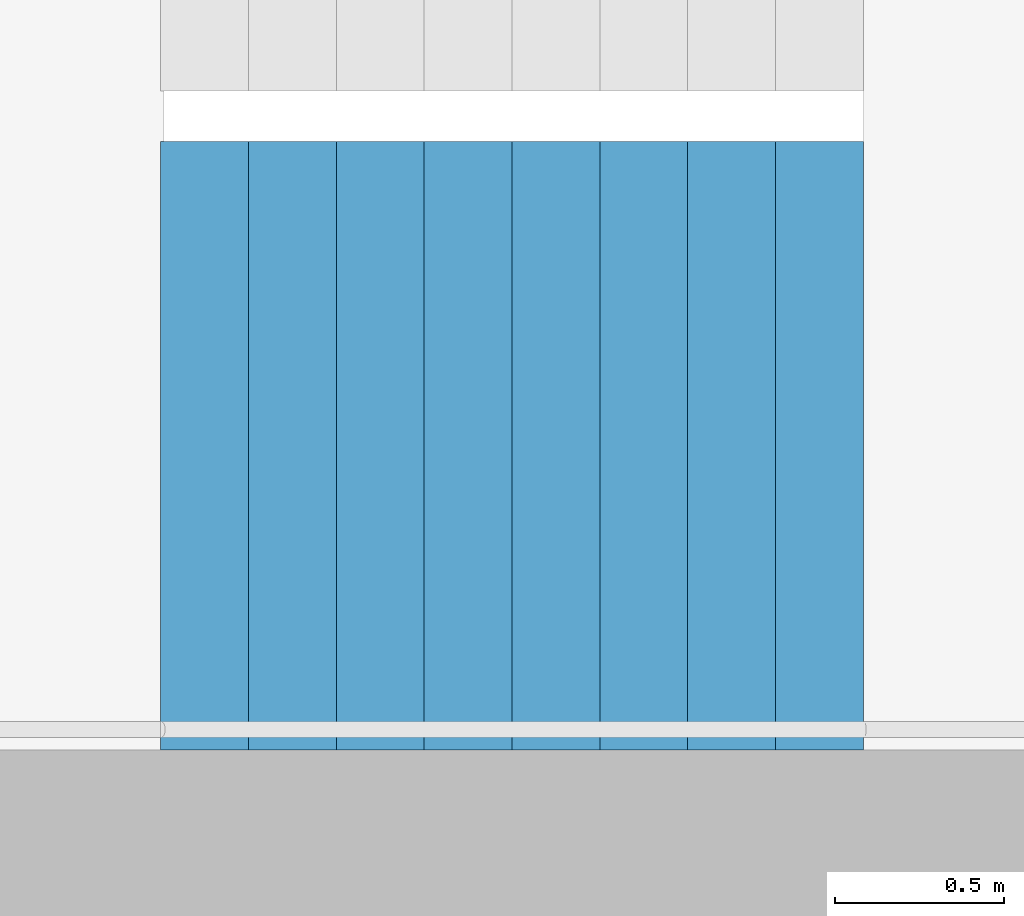
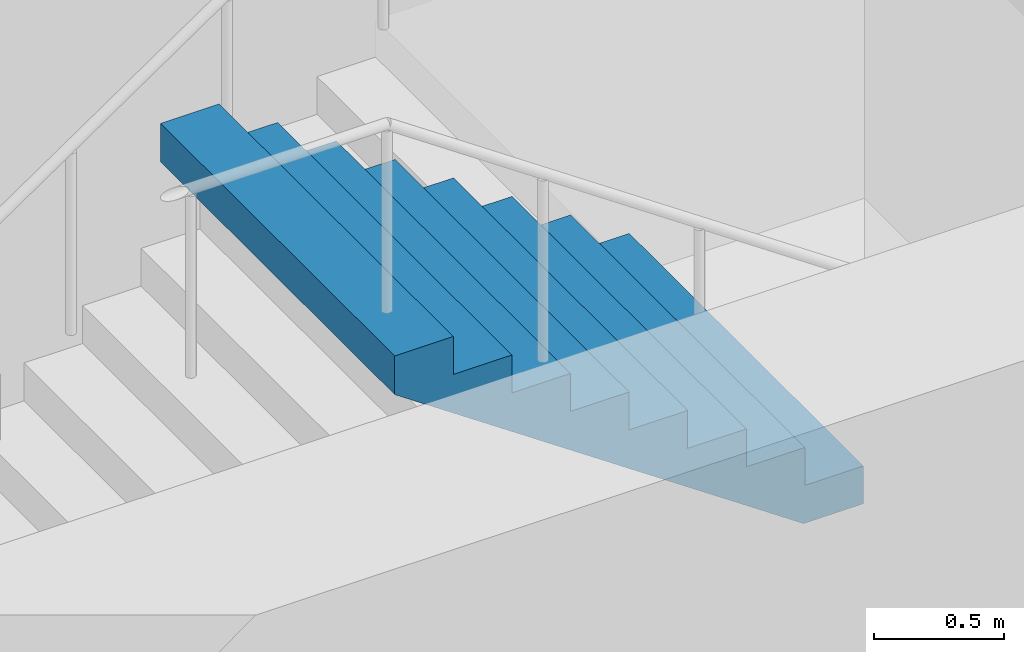
# One storey, part 22 of 26: 1 stair flight, 1 element without a shape of its own.
"""IFC4 building model written with IfcOpenShell, lengths in metres."""

from ifc_helpers import new_model, si_unit, direction, frame, origin, place, context, subcontext, project, spatial, triangles, material, type_object, element, aggregate, save


model = new_model("IFC4")

# Units and contexts
model_context = context("Model", 3, precision=1e-05, world=origin(), true_north=direction((0.0, 1.0)))
body_context = subcontext(model_context, "Body", "Model", "MODEL_VIEW")
ifc_project = project(units=[si_unit("LENGTHUNIT", "METRE"), si_unit("AREAUNIT", "SQUARE_METRE"), si_unit("VOLUMEUNIT", "CUBIC_METRE"), si_unit("PLANEANGLEUNIT", "RADIAN"), si_unit("MASSUNIT", "GRAM", prefix="KILO")], contexts=[model_context])

# Site, building, storey
site_placement = place(None, origin())
site = spatial("IfcSite", under=ifc_project, at=site_placement, CompositionType="ELEMENT")
building_placement = place(site_placement, origin())
building = spatial("IfcBuilding", under=site, at=building_placement, Name="Hakoniwa Tower and Hamabe Station Hall", CompositionType="ELEMENT")
storey_placement = place(building_placement, frame((0.0, 0.0, 153.39990234375)))
storey = spatial("IfcBuildingStorey", under=building, at=storey_placement, Name="L43", CompositionType="ELEMENT", Elevation=153.39990234375)

# Stair, stair flight
ifc_material_1 = material(Name="Concrete C40", Category="concrete")
stair_type = type_object("IfcStairType", Name="ESCAPE STAIR 1800", PredefinedType="HALF_TURN_STAIR", material=ifc_material_1)
stair_placement = place(storey_placement, origin())
stair = element("IfcStair", 1, at=stair_placement, inside=storey, type_object=stair_type, Name="Escape stair ST-4 L43", PredefinedType="HALF_TURN_STAIR")
ifc_material_2 = material(Name="Concrete C40", Category="concrete")
stair_flight_type = type_object("IfcStairFlightType", Name="STAIR FLIGHT 1800", PredefinedType="STRAIGHT", material=ifc_material_2)
stair_flight_placement = place(storey_placement, frame((25.47998046875, -6.60009765625, 1.60009765625), z_axis=(0.0, 0.0, 1.0), x_axis=(-1.0, 0.0, 0.0)))
stair_flight = element("IfcStairFlight", 2, at=stair_flight_placement, type_object=stair_flight_type, Name="ST-4 flight 2", NumberOfRisers=9, NumberOfTreads=8, PredefinedType="STRAIGHT", RiserHeight=0.177777778, TreadLength=0.26, context=body_context, shape_type="Tessellation", body=[
    triangles([(0.0, 0.89990234375, 0.0), (0.260009765625, 0.89990234375, 0.0), (0.265625, 0.89990234375, 0.0), (0.52001953125, 0.89990234375, 0.174072265625), (0.780029296875, 0.89990234375, 0.351806640625), (1.0400390625, 0.89990234375, 0.529541015625), (1.300048828125, 0.89990234375, 0.707275390625), (1.56005859375, 0.89990234375, 0.885009765625), (1.820068359375, 0.89990234375, 1.062744140625), (2.080078125, 0.89990234375, 1.24072265625), (2.080078125, 0.89990234375, 1.422119140625), (1.820068359375, 0.89990234375, 1.422119140625), (1.820068359375, 0.89990234375, 1.244384765625), (1.56005859375, 0.89990234375, 1.244384765625), (1.56005859375, 0.89990234375, 1.066650390625), (1.300048828125, 0.89990234375, 1.066650390625), (1.300048828125, 0.89990234375, 0.888916015625), (1.0400390625, 0.89990234375, 0.888916015625), (1.0400390625, 0.89990234375, 0.711181640625), (0.780029296875, 0.89990234375, 0.711181640625), (0.780029296875, 0.89990234375, 0.533447265625), (0.52001953125, 0.89990234375, 0.533447265625), (0.52001953125, 0.89990234375, 0.35546875), (0.265625, 0.89990234375, 0.35546875), (0.260009765625, 0.89990234375, 0.35546875), (0.260009765625, 0.89990234375, 0.177734375), (0.0, 0.89990234375, 0.177734375), (0.0, 0.06005859375, 0.0), (0.260009765625, 0.06005859375, 0.0), (0.265625, 0.06005859375, 0.0), (0.52001953125, 0.06005859375, 0.174072265625), (0.780029296875, 0.06005859375, 0.351806640625), (1.0400390625, 0.06005859375, 0.529541015625), (1.300048828125, 0.06005859375, 0.707275390625), (1.56005859375, 0.06005859375, 0.885009765625), (1.820068359375, 0.06005859375, 1.062744140625), (2.080078125, 0.06005859375, 1.24072265625), (2.080078125, 0.06005859375, 1.422119140625), (1.820068359375, 0.06005859375, 1.422119140625), (1.820068359375, 0.06005859375, 1.244384765625), (1.56005859375, 0.06005859375, 1.244384765625), (1.56005859375, 0.06005859375, 1.066650390625), (1.300048828125, 0.06005859375, 1.066650390625), (1.300048828125, 0.06005859375, 0.888916015625), (1.0400390625, 0.06005859375, 0.888916015625), (1.0400390625, 0.06005859375, 0.711181640625), (0.780029296875, 0.06005859375, 0.711181640625), (0.780029296875, 0.06005859375, 0.533447265625), (0.52001953125, 0.06005859375, 0.533447265625), (0.52001953125, 0.06005859375, 0.35546875), (0.265625, 0.06005859375, 0.35546875), (0.260009765625, 0.06005859375, 0.35546875), (0.260009765625, 0.06005859375, 0.177734375), (0.0, 0.06005859375, 0.177734375), (0.0, 0.04296875, 0.0), (0.260009765625, 0.04296875, 0.0), (0.265625, 0.04296875, 0.0), (0.52001953125, 0.04296875, 0.174072265625), (0.780029296875, 0.04296875, 0.351806640625), (1.0400390625, 0.04296875, 0.529541015625), (1.300048828125, 0.04296875, 0.707275390625), (1.56005859375, 0.04296875, 0.885009765625), (1.820068359375, 0.04296875, 1.062744140625), (2.080078125, 0.04296875, 1.24072265625), (2.080078125, 0.04296875, 1.422119140625), (1.820068359375, 0.04296875, 1.422119140625), (1.820068359375, 0.04296875, 1.244384765625), (1.56005859375, 0.04296875, 1.244384765625), (1.56005859375, 0.04296875, 1.066650390625), (1.300048828125, 0.04296875, 1.066650390625), (1.300048828125, 0.04296875, 0.888916015625), (1.0400390625, 0.04296875, 0.888916015625), (1.0400390625, 0.04296875, 0.711181640625), (0.780029296875, 0.04296875, 0.711181640625), (0.780029296875, 0.04296875, 0.533447265625), (0.52001953125, 0.04296875, 0.533447265625), (0.52001953125, 0.04296875, 0.35546875), (0.265625, 0.04296875, 0.35546875), (0.260009765625, 0.04296875, 0.35546875), (0.260009765625, 0.04296875, 0.177734375), (0.0, 0.04296875, 0.177734375), (0.0, 0.025634765625, 0.0), (0.260009765625, 0.025634765625, 0.0), (0.265625, 0.025634765625, 0.0), (0.52001953125, 0.025634765625, 0.174072265625), (0.780029296875, 0.025634765625, 0.351806640625), (1.0400390625, 0.025634765625, 0.529541015625), (1.300048828125, 0.025634765625, 0.707275390625), (1.56005859375, 0.025634765625, 0.885009765625), (1.820068359375, 0.025634765625, 1.062744140625), (2.080078125, 0.025634765625, 1.24072265625), (2.080078125, 0.025634765625, 1.422119140625), (1.820068359375, 0.025634765625, 1.422119140625), (1.820068359375, 0.025634765625, 1.244384765625), (1.56005859375, 0.025634765625, 1.244384765625), (1.56005859375, 0.025634765625, 1.066650390625), (1.300048828125, 0.025634765625, 1.066650390625), (1.300048828125, 0.025634765625, 0.888916015625), (1.0400390625, 0.025634765625, 0.888916015625), (1.0400390625, 0.025634765625, 0.711181640625), (0.780029296875, 0.025634765625, 0.711181640625), (0.780029296875, 0.025634765625, 0.533447265625), (0.52001953125, 0.025634765625, 0.533447265625), (0.52001953125, 0.025634765625, 0.35546875), (0.265625, 0.025634765625, 0.35546875), (0.260009765625, 0.025634765625, 0.35546875), (0.260009765625, 0.025634765625, 0.177734375), (0.0, 0.025634765625, 0.177734375), (0.0, 0.008544921875, 0.0), (0.260009765625, 0.008544921875, 0.0), (0.265625, 0.008544921875, 0.0), (0.52001953125, 0.008544921875, 0.174072265625), (0.780029296875, 0.008544921875, 0.351806640625), (1.0400390625, 0.008544921875, 0.529541015625), (1.300048828125, 0.008544921875, 0.707275390625), (1.56005859375, 0.008544921875, 0.885009765625), (1.820068359375, 0.008544921875, 1.062744140625), (2.080078125, 0.008544921875, 1.24072265625), (2.080078125, 0.008544921875, 1.422119140625), (1.820068359375, 0.008544921875, 1.422119140625), (1.820068359375, 0.008544921875, 1.244384765625), (1.56005859375, 0.008544921875, 1.244384765625), (1.56005859375, 0.008544921875, 1.066650390625), (1.300048828125, 0.008544921875, 1.066650390625), (1.300048828125, 0.008544921875, 0.888916015625), (1.0400390625, 0.008544921875, 0.888916015625), (1.0400390625, 0.008544921875, 0.711181640625), (0.780029296875, 0.008544921875, 0.711181640625), (0.780029296875, 0.008544921875, 0.533447265625), (0.52001953125, 0.008544921875, 0.533447265625), (0.52001953125, 0.008544921875, 0.35546875), (0.265625, 0.008544921875, 0.35546875), (0.260009765625, 0.008544921875, 0.35546875), (0.260009765625, 0.008544921875, 0.177734375), (0.0, 0.008544921875, 0.177734375), (0.0, -0.008544921875, 0.0), (0.260009765625, -0.008544921875, 0.0), (0.265625, -0.008544921875, 0.0), (0.52001953125, -0.008544921875, 0.174072265625), (0.780029296875, -0.008544921875, 0.351806640625), (1.0400390625, -0.008544921875, 0.529541015625), (1.300048828125, -0.008544921875, 0.707275390625), (1.56005859375, -0.008544921875, 0.885009765625), (1.820068359375, -0.008544921875, 1.062744140625), (2.080078125, -0.008544921875, 1.24072265625), (2.080078125, -0.008544921875, 1.422119140625), (1.820068359375, -0.008544921875, 1.422119140625), (1.820068359375, -0.008544921875, 1.244384765625), (1.56005859375, -0.008544921875, 1.244384765625), (1.56005859375, -0.008544921875, 1.066650390625), (1.300048828125, -0.008544921875, 1.066650390625), (1.300048828125, -0.008544921875, 0.888916015625), (1.0400390625, -0.008544921875, 0.888916015625), (1.0400390625, -0.008544921875, 0.711181640625), (0.780029296875, -0.008544921875, 0.711181640625), (0.780029296875, -0.008544921875, 0.533447265625), (0.52001953125, -0.008544921875, 0.533447265625), (0.52001953125, -0.008544921875, 0.35546875), (0.265625, -0.008544921875, 0.35546875), (0.260009765625, -0.008544921875, 0.35546875), (0.260009765625, -0.008544921875, 0.177734375), (0.0, -0.008544921875, 0.177734375), (0.0, -0.025634765625, 0.0), (0.260009765625, -0.025634765625, 0.0), (0.265625, -0.025634765625, 0.0), (0.52001953125, -0.025634765625, 0.174072265625), (0.780029296875, -0.025634765625, 0.351806640625), (1.0400390625, -0.025634765625, 0.529541015625), (1.300048828125, -0.025634765625, 0.707275390625), (1.56005859375, -0.025634765625, 0.885009765625), (1.820068359375, -0.025634765625, 1.062744140625), (2.080078125, -0.025634765625, 1.24072265625), (2.080078125, -0.025634765625, 1.422119140625), (1.820068359375, -0.025634765625, 1.422119140625), (1.820068359375, -0.025634765625, 1.244384765625), (1.56005859375, -0.025634765625, 1.244384765625), (1.56005859375, -0.025634765625, 1.066650390625), (1.300048828125, -0.025634765625, 1.066650390625), (1.300048828125, -0.025634765625, 0.888916015625), (1.0400390625, -0.025634765625, 0.888916015625), (1.0400390625, -0.025634765625, 0.711181640625), (0.780029296875, -0.025634765625, 0.711181640625), (0.780029296875, -0.025634765625, 0.533447265625), (0.52001953125, -0.025634765625, 0.533447265625), (0.52001953125, -0.025634765625, 0.35546875), (0.265625, -0.025634765625, 0.35546875), (0.260009765625, -0.025634765625, 0.35546875), (0.260009765625, -0.025634765625, 0.177734375), (0.0, -0.025634765625, 0.177734375), (0.0, -0.04296875, 0.0), (0.260009765625, -0.04296875, 0.0), (0.265625, -0.04296875, 0.0), (0.52001953125, -0.04296875, 0.174072265625), (0.780029296875, -0.04296875, 0.351806640625), (1.0400390625, -0.04296875, 0.529541015625), (1.300048828125, -0.04296875, 0.707275390625), (1.56005859375, -0.04296875, 0.885009765625), (1.820068359375, -0.04296875, 1.062744140625), (2.080078125, -0.04296875, 1.24072265625), (2.080078125, -0.04296875, 1.422119140625), (1.820068359375, -0.04296875, 1.422119140625), (1.820068359375, -0.04296875, 1.244384765625), (1.56005859375, -0.04296875, 1.244384765625), (1.56005859375, -0.04296875, 1.066650390625), (1.300048828125, -0.04296875, 1.066650390625), (1.300048828125, -0.04296875, 0.888916015625), (1.0400390625, -0.04296875, 0.888916015625), (1.0400390625, -0.04296875, 0.711181640625), (0.780029296875, -0.04296875, 0.711181640625), (0.780029296875, -0.04296875, 0.533447265625), (0.52001953125, -0.04296875, 0.533447265625), (0.52001953125, -0.04296875, 0.35546875), (0.265625, -0.04296875, 0.35546875), (0.260009765625, -0.04296875, 0.35546875), (0.260009765625, -0.04296875, 0.177734375), (0.0, -0.04296875, 0.177734375), (0.0, -0.06005859375, 0.0), (0.260009765625, -0.06005859375, 0.0), (0.265625, -0.06005859375, 0.0), (0.52001953125, -0.06005859375, 0.174072265625), (0.780029296875, -0.06005859375, 0.351806640625), (1.0400390625, -0.06005859375, 0.529541015625), (1.300048828125, -0.06005859375, 0.707275390625), (1.56005859375, -0.06005859375, 0.885009765625), (1.820068359375, -0.06005859375, 1.062744140625), (2.080078125, -0.06005859375, 1.24072265625), (2.080078125, -0.06005859375, 1.422119140625), (1.820068359375, -0.06005859375, 1.422119140625), (1.820068359375, -0.06005859375, 1.244384765625), (1.56005859375, -0.06005859375, 1.244384765625), (1.56005859375, -0.06005859375, 1.066650390625), (1.300048828125, -0.06005859375, 1.066650390625), (1.300048828125, -0.06005859375, 0.888916015625), (1.0400390625, -0.06005859375, 0.888916015625), (1.0400390625, -0.06005859375, 0.711181640625), (0.780029296875, -0.06005859375, 0.711181640625), (0.780029296875, -0.06005859375, 0.533447265625), (0.52001953125, -0.06005859375, 0.533447265625), (0.52001953125, -0.06005859375, 0.35546875), (0.265625, -0.06005859375, 0.35546875), (0.260009765625, -0.06005859375, 0.35546875), (0.260009765625, -0.06005859375, 0.177734375), (0.0, -0.06005859375, 0.177734375), (0.0, -0.89990234375, 0.0), (0.260009765625, -0.89990234375, 0.0), (0.265625, -0.89990234375, 0.0), (0.52001953125, -0.89990234375, 0.174072265625), (0.780029296875, -0.89990234375, 0.351806640625), (1.0400390625, -0.89990234375, 0.529541015625), (1.300048828125, -0.89990234375, 0.707275390625), (1.56005859375, -0.89990234375, 0.885009765625), (1.820068359375, -0.89990234375, 1.062744140625), (2.080078125, -0.89990234375, 1.24072265625), (2.080078125, -0.89990234375, 1.422119140625), (1.820068359375, -0.89990234375, 1.422119140625), (1.820068359375, -0.89990234375, 1.244384765625), (1.56005859375, -0.89990234375, 1.244384765625), (1.56005859375, -0.89990234375, 1.066650390625), (1.300048828125, -0.89990234375, 1.066650390625), (1.300048828125, -0.89990234375, 0.888916015625), (1.0400390625, -0.89990234375, 0.888916015625), (1.0400390625, -0.89990234375, 0.711181640625), (0.780029296875, -0.89990234375, 0.711181640625), (0.780029296875, -0.89990234375, 0.533447265625), (0.52001953125, -0.89990234375, 0.533447265625), (0.52001953125, -0.89990234375, 0.35546875), (0.265625, -0.89990234375, 0.35546875), (0.260009765625, -0.89990234375, 0.35546875), (0.260009765625, -0.89990234375, 0.177734375), (0.0, -0.89990234375, 0.177734375)], [[2, 27, 26], [245, 269, 270], [2, 1, 27], [245, 270, 244], [3, 25, 24], [246, 267, 268], [3, 26, 25], [246, 268, 269], [3, 2, 26], [246, 269, 245], [4, 24, 23], [247, 266, 267], [4, 3, 24], [247, 267, 246], [5, 22, 21], [248, 264, 265], [5, 23, 22], [248, 265, 266], [5, 4, 23], [248, 266, 247], [6, 20, 19], [249, 262, 263], [6, 21, 20], [249, 263, 264], [6, 5, 21], [249, 264, 248], [7, 18, 17], [250, 260, 261], [7, 19, 18], [250, 261, 262], [7, 6, 19], [250, 262, 249], [8, 16, 15], [251, 258, 259], [8, 17, 16], [251, 259, 260], [8, 7, 17], [251, 260, 250], [9, 14, 13], [252, 256, 257], [9, 15, 14], [252, 257, 258], [9, 8, 15], [252, 258, 251], [10, 12, 11], [253, 254, 255], [10, 13, 12], [253, 255, 256], [10, 9, 13], [253, 256, 252], [1, 2, 29], [1, 29, 28], [28, 29, 56], [28, 56, 55], [55, 56, 83], [55, 83, 82], [82, 83, 110], [82, 110, 109], [109, 110, 137], [109, 137, 136], [136, 137, 164], [136, 164, 163], [163, 164, 191], [163, 191, 190], [190, 191, 218], [190, 218, 217], [217, 218, 245], [217, 245, 244], [2, 3, 30], [2, 30, 29], [29, 30, 57], [29, 57, 56], [56, 57, 84], [56, 84, 83], [83, 84, 111], [83, 111, 110], [110, 111, 138], [110, 138, 137], [137, 138, 165], [137, 165, 164], [164, 165, 192], [164, 192, 191], [191, 192, 219], [191, 219, 218], [218, 219, 246], [218, 246, 245], [3, 4, 31], [3, 31, 30], [30, 31, 58], [30, 58, 57], [57, 58, 85], [57, 85, 84], [84, 85, 112], [84, 112, 111], [111, 112, 139], [111, 139, 138], [138, 139, 166], [138, 166, 165], [165, 166, 193], [165, 193, 192], [192, 193, 220], [192, 220, 219], [219, 220, 247], [219, 247, 246], [4, 5, 32], [4, 32, 31], [31, 32, 59], [31, 59, 58], [58, 59, 86], [58, 86, 85], [85, 86, 113], [85, 113, 112], [112, 113, 140], [112, 140, 139], [139, 140, 167], [139, 167, 166], [166, 167, 194], [166, 194, 193], [193, 194, 221], [193, 221, 220], [220, 221, 248], [220, 248, 247], [5, 6, 33], [5, 33, 32], [32, 33, 60], [32, 60, 59], [59, 60, 87], [59, 87, 86], [86, 87, 114], [86, 114, 113], [113, 114, 141], [113, 141, 140], [140, 141, 168], [140, 168, 167], [167, 168, 195], [167, 195, 194], [194, 195, 222], [194, 222, 221], [221, 222, 249], [221, 249, 248], [6, 7, 34], [6, 34, 33], [33, 34, 61], [33, 61, 60], [60, 61, 88], [60, 88, 87], [87, 88, 115], [87, 115, 114], [114, 115, 142], [114, 142, 141], [141, 142, 169], [141, 169, 168], [168, 169, 196], [168, 196, 195], [195, 196, 223], [195, 223, 222], [222, 223, 250], [222, 250, 249], [7, 8, 35], [7, 35, 34], [34, 35, 62], [34, 62, 61], [61, 62, 89], [61, 89, 88], [88, 89, 116], [88, 116, 115], [115, 116, 143], [115, 143, 142], [142, 143, 170], [142, 170, 169], [169, 170, 197], [169, 197, 196], [196, 197, 224], [196, 224, 223], [223, 224, 251], [223, 251, 250], [8, 9, 36], [8, 36, 35], [35, 36, 63], [35, 63, 62], [62, 63, 90], [62, 90, 89], [89, 90, 117], [89, 117, 116], [116, 117, 144], [116, 144, 143], [143, 144, 171], [143, 171, 170], [170, 171, 198], [170, 198, 197], [197, 198, 225], [197, 225, 224], [224, 225, 252], [224, 252, 251], [9, 10, 37], [9, 37, 36], [36, 37, 64], [36, 64, 63], [63, 64, 91], [63, 91, 90], [90, 91, 118], [90, 118, 117], [117, 118, 145], [117, 145, 144], [144, 145, 172], [144, 172, 171], [171, 172, 199], [171, 199, 198], [198, 199, 226], [198, 226, 225], [225, 226, 253], [225, 253, 252], [10, 11, 38], [10, 38, 37], [37, 38, 65], [37, 65, 64], [64, 65, 92], [64, 92, 91], [91, 92, 119], [91, 119, 118], [118, 119, 146], [118, 146, 145], [145, 146, 173], [145, 173, 172], [172, 173, 200], [172, 200, 199], [199, 200, 227], [199, 227, 226], [226, 227, 254], [226, 254, 253], [11, 12, 39], [11, 39, 38], [38, 39, 66], [38, 66, 65], [65, 66, 93], [65, 93, 92], [92, 93, 120], [92, 120, 119], [119, 120, 147], [119, 147, 146], [146, 147, 174], [146, 174, 173], [173, 174, 201], [173, 201, 200], [200, 201, 228], [200, 228, 227], [227, 228, 255], [227, 255, 254], [12, 13, 40], [12, 40, 39], [39, 40, 67], [39, 67, 66], [66, 67, 94], [66, 94, 93], [93, 94, 121], [93, 121, 120], [120, 121, 148], [120, 148, 147], [147, 148, 175], [147, 175, 174], [174, 175, 202], [174, 202, 201], [201, 202, 229], [201, 229, 228], [228, 229, 256], [228, 256, 255], [13, 14, 41], [13, 41, 40], [40, 41, 68], [40, 68, 67], [67, 68, 95], [67, 95, 94], [94, 95, 122], [94, 122, 121], [121, 122, 149], [121, 149, 148], [148, 149, 176], [148, 176, 175], [175, 176, 203], [175, 203, 202], [202, 203, 230], [202, 230, 229], [229, 230, 257], [229, 257, 256], [14, 15, 42], [14, 42, 41], [41, 42, 69], [41, 69, 68], [68, 69, 96], [68, 96, 95], [95, 96, 123], [95, 123, 122], [122, 123, 150], [122, 150, 149], [149, 150, 177], [149, 177, 176], [176, 177, 204], [176, 204, 203], [203, 204, 231], [203, 231, 230], [230, 231, 258], [230, 258, 257], [15, 16, 43], [15, 43, 42], [42, 43, 70], [42, 70, 69], [69, 70, 97], [69, 97, 96], [96, 97, 124], [96, 124, 123], [123, 124, 151], [123, 151, 150], [150, 151, 178], [150, 178, 177], [177, 178, 205], [177, 205, 204], [204, 205, 232], [204, 232, 231], [231, 232, 259], [231, 259, 258], [16, 17, 44], [16, 44, 43], [43, 44, 71], [43, 71, 70], [70, 71, 98], [70, 98, 97], [97, 98, 125], [97, 125, 124], [124, 125, 152], [124, 152, 151], [151, 152, 179], [151, 179, 178], [178, 179, 206], [178, 206, 205], [205, 206, 233], [205, 233, 232], [232, 233, 260], [232, 260, 259], [17, 18, 45], [17, 45, 44], [44, 45, 72], [44, 72, 71], [71, 72, 99], [71, 99, 98], [98, 99, 126], [98, 126, 125], [125, 126, 153], [125, 153, 152], [152, 153, 180], [152, 180, 179], [179, 180, 207], [179, 207, 206], [206, 207, 234], [206, 234, 233], [233, 234, 261], [233, 261, 260], [18, 19, 46], [18, 46, 45], [45, 46, 73], [45, 73, 72], [72, 73, 100], [72, 100, 99], [99, 100, 127], [99, 127, 126], [126, 127, 154], [126, 154, 153], [153, 154, 181], [153, 181, 180], [180, 181, 208], [180, 208, 207], [207, 208, 235], [207, 235, 234], [234, 235, 262], [234, 262, 261], [19, 20, 47], [19, 47, 46], [46, 47, 74], [46, 74, 73], [73, 74, 101], [73, 101, 100], [100, 101, 128], [100, 128, 127], [127, 128, 155], [127, 155, 154], [154, 155, 182], [154, 182, 181], [181, 182, 209], [181, 209, 208], [208, 209, 236], [208, 236, 235], [235, 236, 263], [235, 263, 262], [20, 21, 48], [20, 48, 47], [47, 48, 75], [47, 75, 74], [74, 75, 102], [74, 102, 101], [101, 102, 129], [101, 129, 128], [128, 129, 156], [128, 156, 155], [155, 156, 183], [155, 183, 182], [182, 183, 210], [182, 210, 209], [209, 210, 237], [209, 237, 236], [236, 237, 264], [236, 264, 263], [21, 22, 49], [21, 49, 48], [48, 49, 76], [48, 76, 75], [75, 76, 103], [75, 103, 102], [102, 103, 130], [102, 130, 129], [129, 130, 157], [129, 157, 156], [156, 157, 184], [156, 184, 183], [183, 184, 211], [183, 211, 210], [210, 211, 238], [210, 238, 237], [237, 238, 265], [237, 265, 264], [22, 23, 50], [22, 50, 49], [49, 50, 77], [49, 77, 76], [76, 77, 104], [76, 104, 103], [103, 104, 131], [103, 131, 130], [130, 131, 158], [130, 158, 157], [157, 158, 185], [157, 185, 184], [184, 185, 212], [184, 212, 211], [211, 212, 239], [211, 239, 238], [238, 239, 266], [238, 266, 265], [23, 24, 51], [23, 51, 50], [50, 51, 78], [50, 78, 77], [77, 78, 105], [77, 105, 104], [104, 105, 132], [104, 132, 131], [131, 132, 159], [131, 159, 158], [158, 159, 186], [158, 186, 185], [185, 186, 213], [185, 213, 212], [212, 213, 240], [212, 240, 239], [239, 240, 267], [239, 267, 266], [24, 25, 52], [24, 52, 51], [51, 52, 79], [51, 79, 78], [78, 79, 106], [78, 106, 105], [105, 106, 133], [105, 133, 132], [132, 133, 160], [132, 160, 159], [159, 160, 187], [159, 187, 186], [186, 187, 214], [186, 214, 213], [213, 214, 241], [213, 241, 240], [240, 241, 268], [240, 268, 267], [25, 26, 53], [25, 53, 52], [52, 53, 80], [52, 80, 79], [79, 80, 107], [79, 107, 106], [106, 107, 134], [106, 134, 133], [133, 134, 161], [133, 161, 160], [160, 161, 188], [160, 188, 187], [187, 188, 215], [187, 215, 214], [214, 215, 242], [214, 242, 241], [241, 242, 269], [241, 269, 268], [26, 27, 54], [26, 54, 53], [53, 54, 81], [53, 81, 80], [80, 81, 108], [80, 108, 107], [107, 108, 135], [107, 135, 134], [134, 135, 162], [134, 162, 161], [161, 162, 189], [161, 189, 188], [188, 189, 216], [188, 216, 215], [215, 216, 243], [215, 243, 242], [242, 243, 270], [242, 270, 269], [27, 1, 28], [27, 28, 54], [54, 28, 55], [54, 55, 81], [81, 55, 82], [81, 82, 108], [108, 82, 109], [108, 109, 135], [135, 109, 136], [135, 136, 162], [162, 136, 163], [162, 163, 189], [189, 163, 190], [189, 190, 216], [216, 190, 217], [216, 217, 243], [243, 217, 244], [243, 244, 270]], closed=True),
])
aggregate(stair, [stair_flight])

save(model, "model.ifc")
